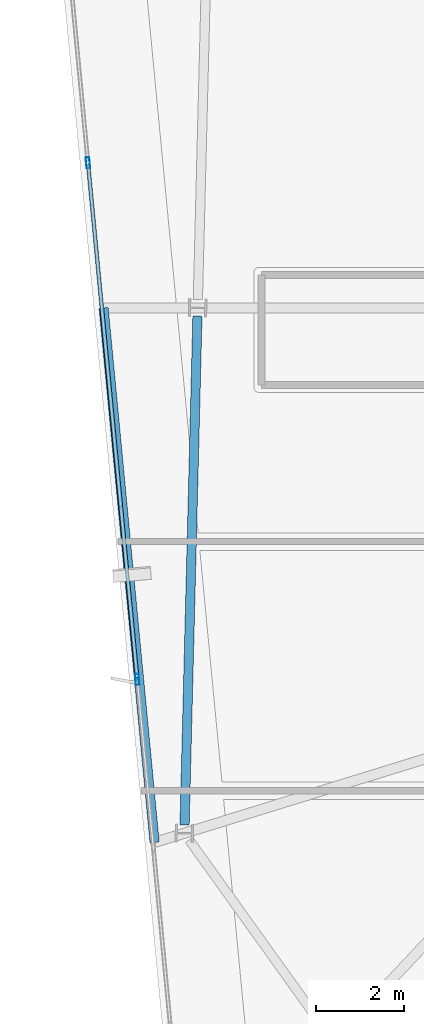
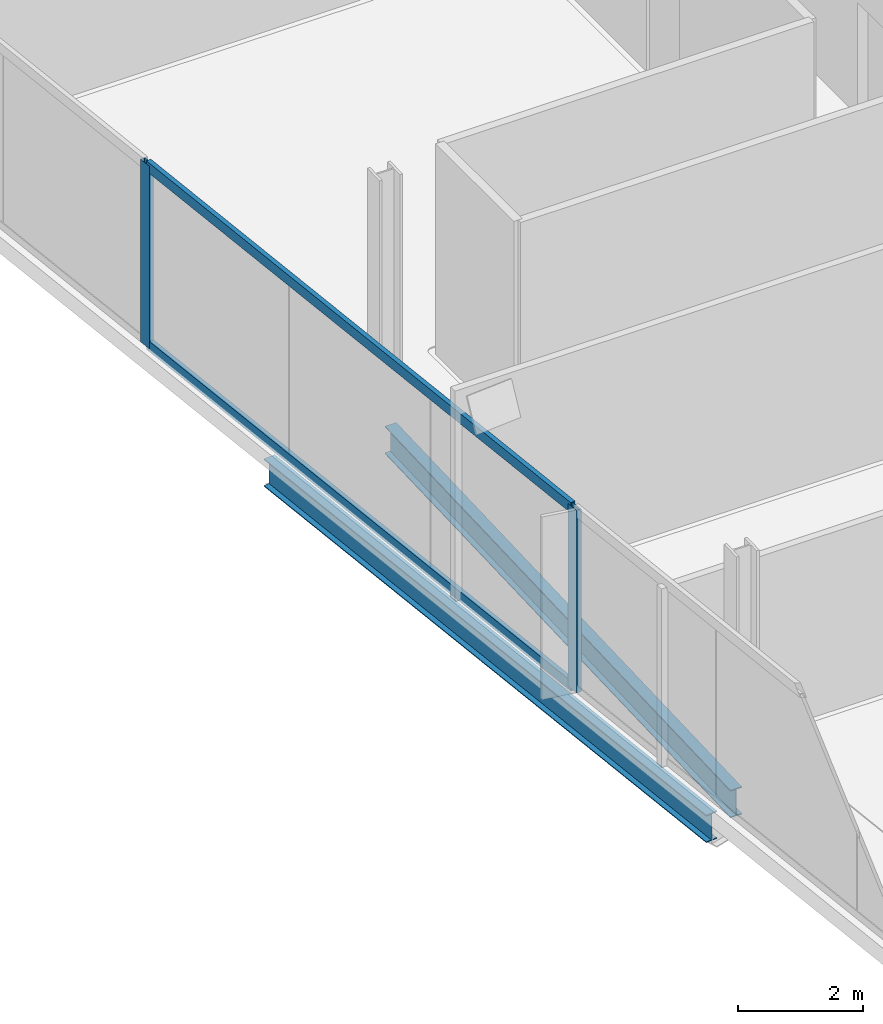
# One storey, part 6 of 24: 4 members, 2 beams, 1 element without a shape of its own.
"""IFC4 building model written with IfcOpenShell, lengths in metres."""

from ifc_helpers import new_model, si_unit, direction, frame, origin, origin_2d, place, context, subcontext, project, spatial, hollow_rectangle, i_section, extrude, material, material_profile, profile_set, type_object, element, aggregate, save


model = new_model("IFC4")

# Units and contexts
model_context = context("Model", 3, precision=1e-05, world=origin(), true_north=direction((0.0, 1.0)))
body_context = subcontext(model_context, "Body", "Model", "MODEL_VIEW")
ifc_project = project(units=[si_unit("LENGTHUNIT", "METRE"), si_unit("AREAUNIT", "SQUARE_METRE"), si_unit("VOLUMEUNIT", "CUBIC_METRE"), si_unit("PLANEANGLEUNIT", "RADIAN"), si_unit("MASSUNIT", "GRAM", prefix="KILO")], contexts=[model_context])

# Site, building, storey
site_placement = place(None, origin())
site = spatial("IfcSite", under=ifc_project, at=site_placement, CompositionType="ELEMENT")
building_placement = place(site_placement, origin())
building = spatial("IfcBuilding", under=site, at=building_placement, Name="Haldenkirk Collegiate Tower", CompositionType="ELEMENT")
storey_placement = place(building_placement, frame((0.0, 0.0, 347.699951171875)))
storey = spatial("IfcBuildingStorey", under=building, at=storey_placement, Name="L88", CompositionType="ELEMENT", Elevation=347.699951171875)

# Beams
ifc_material_1 = material(Name="Steel ASTM A992 Grade 50", Category="steel")
ifc_material_profile_1 = material_profile(ifc_material_1, i_section(OverallWidth=0.2099609375, OverallDepth=0.537109375, WebThickness=0.010986328125, FlangeThickness=0.017333984375, at=origin_2d()), Name="W21X68")
ifc_profile_set_1 = profile_set([ifc_material_profile_1], Name="Steel ASTM A992 Grade 50")
beam_type = type_object("IfcBeamType", Name="BM-SPANDREL-W21X68", PredefinedType="SPANDREL", material=ifc_profile_set_1)
beam_1_placement = place(storey_placement, frame((16.25146484375, 26.31201171875, -0.58837890625), z_axis=(-0.02528078186, -0.999680389959, 0.0), x_axis=(0.999680389959, -0.02528078186, 0.0)))
element("IfcBeam", 1, at=beam_1_placement, inside=storey, type_object=beam_type, Name="L88 perimeter spandrel beam 11", PredefinedType="SPANDREL", context=body_context, shape_type="SweptSolid", body=[
    extrude(i_section(OverallWidth=0.2099609375, OverallDepth=0.537109375, WebThickness=0.010986328125, FlangeThickness=0.017333984375, at=origin_2d()), origin(), (0.0, 0.0, 1.0), 11.540283203125),
])
beam_2_placement = place(storey_placement, frame((14.123779296875, 26.499755859375, -0.58837890625), z_axis=(0.094964277178, -0.995480680908, 0.0), x_axis=(0.995480680908, 0.094964277178, 0.0)))
element("IfcBeam", 2, at=beam_2_placement, inside=storey, type_object=beam_type, Name="L88 outer facade edge beam 3", PredefinedType="SPANDREL", context=body_context, shape_type="SweptSolid", body=[
    extrude(i_section(OverallWidth=0.2099609375, OverallDepth=0.537109375, WebThickness=0.010986328125, FlangeThickness=0.017333984375, at=origin_2d()), origin(), (0.0, 0.0, 1.0), 12.175537109375),
])

# Curtain wall, members
ifc_material_2 = material(Name="Anodised architectural bronze aluminium", Category="aluminium")
curtain_wall_type = type_object("IfcCurtainWallType", Name="CW-SYS1B-CONVEX-HI", PredefinedType="USERDEFINED", material=ifc_material_2)
curtain_wall_placement = place(storey_placement, origin())
curtain_wall = element("IfcCurtainWall", 3, at=curtain_wall_placement, inside=storey, type_object=curtain_wall_type, Name="L88 Upper tower high-wind convex bronze unitised curtain wall", ObjectType="UNITISED CURTAIN WALL", PredefinedType="USERDEFINED")
ifc_material_profile_2 = material_profile(ifc_material_2, hollow_rectangle(XDim=0.0849609375, YDim=0.25, WallThickness=0.0048828125, at=origin_2d()), Name="CW-MUL-1B")
ifc_profile_set_2 = profile_set([ifc_material_profile_2], Name="Anodised architectural bronze aluminium")
member_type_1 = type_object("IfcMemberType", Name="CW-MUL-1B", PredefinedType="MULLION", material=ifc_profile_set_2)
member_1_placement = place(storey_placement, frame((14.88720703125, 18.07568359375, 0.0), z_axis=(0.0, 0.0, 1.0), x_axis=(-0.995479454371, -0.094977133699, 0.0)))
member_1 = element("IfcMember", 4, at=member_1_placement, type_object=member_type_1, Name="CW-1B mullion 2", PredefinedType="MULLION", context=body_context, shape_type="SweptSolid", body=[
    extrude(hollow_rectangle(XDim=0.0849609375, YDim=0.25, WallThickness=0.0048828125, at=origin_2d()), origin(), (0.0, 0.0, 1.0), 3.55810546875),
])
member_2_placement = place(storey_placement, frame((13.769775390625, 29.7890625, 0.0), z_axis=(0.0, 0.0, 1.0), x_axis=(-0.995479454371, -0.094977133699, 0.0)))
member_2 = element("IfcMember", 5, at=member_2_placement, type_object=member_type_1, Name="CW-1B mullion 3", PredefinedType="MULLION", context=body_context, shape_type="SweptSolid", body=[
    extrude(hollow_rectangle(XDim=0.0849609375, YDim=0.25, WallThickness=0.0048828125, at=origin_2d()), origin(), (0.0, 0.0, 1.0), 3.55810546875),
])
ifc_material_profile_3 = material_profile(ifc_material_2, hollow_rectangle(XDim=0.0849609375, YDim=0.199951171875, WallThickness=0.0048828125, at=origin_2d()), Name="CW-TRN-1B")
ifc_profile_set_3 = profile_set([ifc_material_profile_3], Name="Anodised architectural bronze aluminium")
member_type_2 = type_object("IfcMemberType", Name="CW-TRN-1B", PredefinedType="USERDEFINED", material=ifc_profile_set_3)
member_3_placement = place(storey_placement, frame((14.88330078125, 18.117919921875, 0.04248046875), z_axis=(-0.094987604539, 0.995478455309, 0.0), x_axis=(-0.995478455309, -0.094987604539, 0.0)))
member_3 = element("IfcMember", 6, at=member_3_placement, type_object=member_type_2, Name="CW-1B transom 2.1", ObjectType="TRANSOM", PredefinedType="USERDEFINED", context=body_context, shape_type="SweptSolid", body=[
    extrude(hollow_rectangle(XDim=0.0849609375, YDim=0.199951171875, WallThickness=0.0048828125, at=origin_2d()), origin(), (0.0, 0.0, 1.0), 11.681640625),
])
member_4_placement = place(storey_placement, frame((14.88330078125, 18.117919921875, 3.515625), z_axis=(-0.094987604539, 0.995478455309, 0.0), x_axis=(-0.995478455309, -0.094987604539, 0.0)))
member_4 = element("IfcMember", 7, at=member_4_placement, type_object=member_type_2, Name="CW-1B transom 2.2", ObjectType="TRANSOM", PredefinedType="USERDEFINED", context=body_context, shape_type="SweptSolid", body=[
    extrude(hollow_rectangle(XDim=0.0849609375, YDim=0.199951171875, WallThickness=0.0048828125, at=origin_2d()), origin(), (0.0, 0.0, 1.0), 11.681640625),
])
aggregate(curtain_wall, [member_1, member_2, member_3, member_4])

save(model, "model.ifc")
